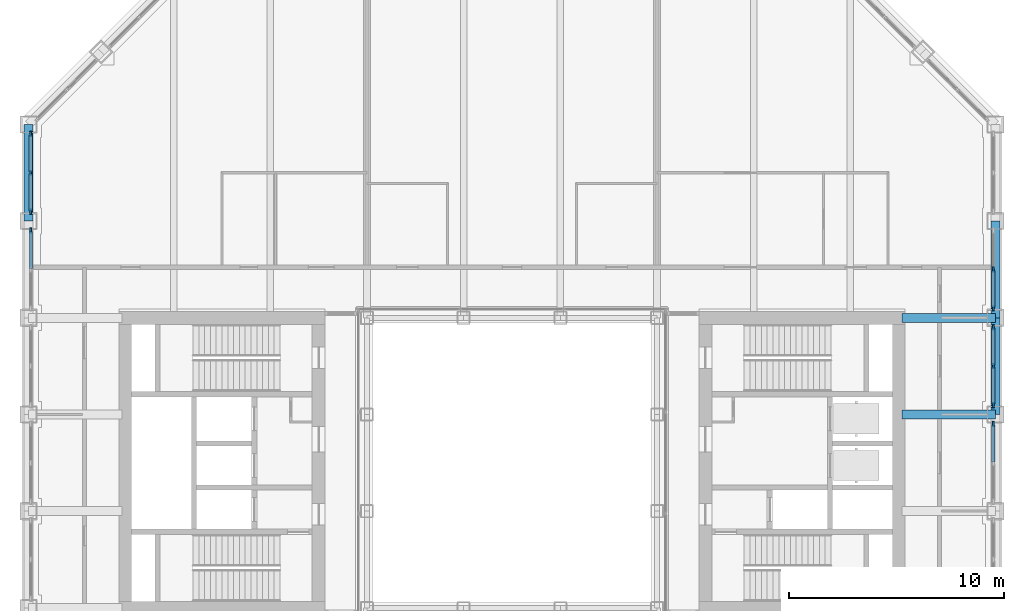
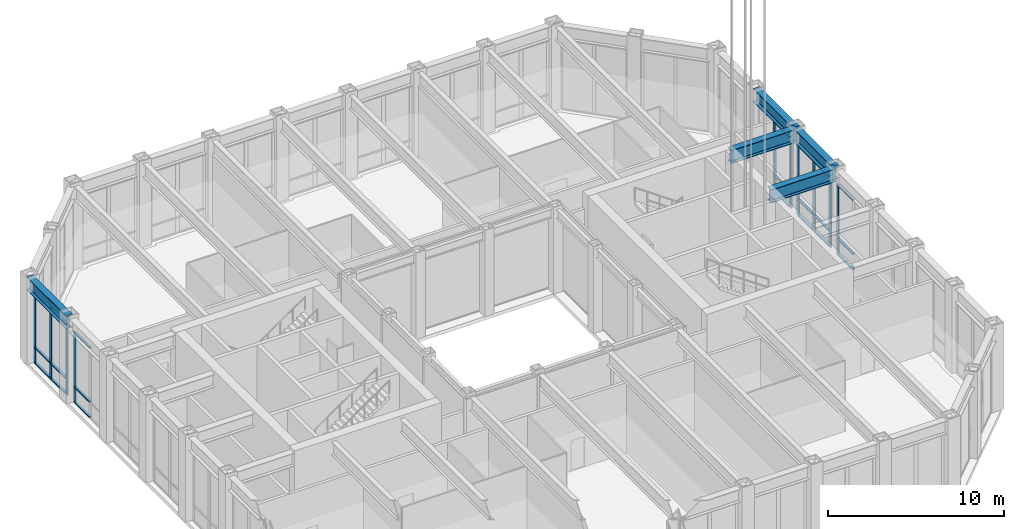
# One storey, part 7 of 22: 31 members, 5 beams, 5 elements without a shape of their own.
"""IFC4 building model written with IfcOpenShell, lengths in metres."""

from ifc_helpers import new_model, si_unit, direction, frame, origin, origin_2d, place, context, subcontext, project, spatial, rectangle, i_section, extrude, material, material_profile, profile_set, type_object, element, aggregate, save


model = new_model("IFC4")

# Units and contexts
model_context = context("Model", 3, precision=1e-05, world=origin(), true_north=direction((0.0, 1.0)))
body_context = subcontext(model_context, "Body", "Model", "MODEL_VIEW")
ifc_project = project(units=[si_unit("LENGTHUNIT", "METRE"), si_unit("AREAUNIT", "SQUARE_METRE"), si_unit("VOLUMEUNIT", "CUBIC_METRE"), si_unit("PLANEANGLEUNIT", "RADIAN"), si_unit("MASSUNIT", "GRAM", prefix="KILO")], contexts=[model_context])

# Site, building, storey
site_placement = place(None, origin())
site = spatial("IfcSite", under=ifc_project, at=site_placement, CompositionType="ELEMENT")
building_placement = place(site_placement, origin())
building = spatial("IfcBuilding", under=site, at=building_placement, Name="Msasa Ring Tower", CompositionType="ELEMENT")
storey_placement = place(building_placement, frame((0.0, 0.0, 112.39990234375)))
storey = spatial("IfcBuildingStorey", under=building, at=storey_placement, Name="L29", CompositionType="ELEMENT", Elevation=112.39990234375)

# Curtain wall, member
ifc_material_1 = material(Name="Aluminium curtain wall with clear glass", Category="aluminium")
curtain_wall_type = type_object("IfcCurtainWallType", Name="CW-S SKY LOBBY CURTAIN WALL", PredefinedType="NOTDEFINED", material=ifc_material_1)
curtain_wall_1_placement = place(storey_placement, origin())
curtain_wall_1 = element("IfcCurtainWall", 1, at=curtain_wall_1_placement, inside=storey, type_object=curtain_wall_type, Name="Sky lobby curtain wall E L29", PredefinedType="NOTDEFINED")
ifc_material_2 = material(Name="Aluminium mullion", Category="aluminium")
ifc_material_profile_1 = material_profile(ifc_material_2, rectangle(XDim=0.074951171875, YDim=0.25, at=origin_2d()), Name="AL 75x250")
ifc_profile_set_1 = profile_set([ifc_material_profile_1], Name="Aluminium mullion")
member_type_1 = type_object("IfcMemberType", Name="CW-S MULLION 75x250", PredefinedType="MULLION", material=ifc_profile_set_1)
member_1_placement = place(storey_placement, frame((22.39990234375, 1.8076171875, 0.0), z_axis=(0.0, 0.0, 1.0), x_axis=(-1.0, 0.0, 0.0)))
member_1 = element("IfcMember", 2, at=member_1_placement, type_object=member_type_1, Name="CW-S mullion 3", PredefinedType="MULLION", context=body_context, shape_type="SweptSolid", body=[
    extrude(rectangle(XDim=0.074951171875, YDim=0.25, at=origin_2d()), origin(), (0.0, 0.0, 1.0), 4.879150390625),
])

# Curtain wall, members
curtain_wall_2_placement = place(storey_placement, origin())
curtain_wall_2 = element("IfcCurtainWall", 3, at=curtain_wall_2_placement, inside=storey, type_object=curtain_wall_type, Name="Sky lobby curtain wall E L29", PredefinedType="NOTDEFINED")
member_2_placement = place(storey_placement, frame((22.39990234375, 2.6923828125, 0.0), z_axis=(0.0, 0.0, 1.0), x_axis=(-1.0, 0.0, 0.0)))
member_2 = element("IfcMember", 4, at=member_2_placement, type_object=member_type_1, Name="CW-S mullion 1", PredefinedType="MULLION", context=body_context, shape_type="SweptSolid", body=[
    extrude(rectangle(XDim=0.074951171875, YDim=0.25, at=origin_2d()), origin(), (0.0, 0.0, 1.0), 4.879150390625),
])
member_3_placement = place(storey_placement, frame((22.39990234375, 4.5, 0.0), z_axis=(0.0, 0.0, 1.0), x_axis=(-1.0, 0.0, 0.0)))
member_3 = element("IfcMember", 5, at=member_3_placement, type_object=member_type_1, Name="CW-S mullion 2", PredefinedType="MULLION", context=body_context, shape_type="SweptSolid", body=[
    extrude(rectangle(XDim=0.074951171875, YDim=0.25, at=origin_2d()), origin(), (0.0, 0.0, 1.0), 4.879150390625),
])
member_4_placement = place(storey_placement, frame((22.39990234375, 6.3076171875, 0.0), z_axis=(0.0, 0.0, 1.0), x_axis=(-1.0, 0.0, 0.0)))
member_4 = element("IfcMember", 6, at=member_4_placement, type_object=member_type_1, Name="CW-S mullion 3", PredefinedType="MULLION", context=body_context, shape_type="SweptSolid", body=[
    extrude(rectangle(XDim=0.074951171875, YDim=0.25, at=origin_2d()), origin(), (0.0, 0.0, 1.0), 4.879150390625),
])

curtain_wall_3_placement = place(storey_placement, origin())
curtain_wall_3 = element("IfcCurtainWall", 7, at=curtain_wall_3_placement, inside=storey, type_object=curtain_wall_type, Name="Sky lobby curtain wall E L29", PredefinedType="NOTDEFINED")
member_5_placement = place(storey_placement, frame((22.39990234375, 7.1923828125, 0.0), z_axis=(0.0, 0.0, 1.0), x_axis=(-1.0, 0.0, 0.0)))
member_5 = element("IfcMember", 8, at=member_5_placement, type_object=member_type_1, Name="CW-S mullion 1", PredefinedType="MULLION", context=body_context, shape_type="SweptSolid", body=[
    extrude(rectangle(XDim=0.074951171875, YDim=0.25, at=origin_2d()), origin(), (0.0, 0.0, 1.0), 4.879150390625),
])
member_6_placement = place(storey_placement, frame((22.39990234375, 9.0, 0.0), z_axis=(0.0, 0.0, 1.0), x_axis=(-1.0, 0.0, 0.0)))
member_6 = element("IfcMember", 9, at=member_6_placement, type_object=member_type_1, Name="CW-S mullion 2", PredefinedType="MULLION", context=body_context, shape_type="SweptSolid", body=[
    extrude(rectangle(XDim=0.074951171875, YDim=0.25, at=origin_2d()), origin(), (0.0, 0.0, 1.0), 4.879150390625),
])

# Curtain wall, member
curtain_wall_4_placement = place(storey_placement, origin())
curtain_wall_4 = element("IfcCurtainWall", 10, at=curtain_wall_4_placement, inside=storey, type_object=curtain_wall_type, Name="Sky lobby curtain wall W L29", PredefinedType="NOTDEFINED")
member_7_placement = place(storey_placement, frame((-22.39990234375, 10.8076171875, 0.0), z_axis=(0.0, 0.0, 1.0), x_axis=(-1.0, 0.0, 0.0)))
member_7 = element("IfcMember", 11, at=member_7_placement, type_object=member_type_1, Name="CW-S mullion 3", PredefinedType="MULLION", context=body_context, shape_type="SweptSolid", body=[
    extrude(rectangle(XDim=0.074951171875, YDim=0.25, at=origin_2d()), origin(), (0.0, 0.0, 1.0), 4.879150390625),
])

# Curtain wall, members
curtain_wall_5_placement = place(storey_placement, origin())
curtain_wall_5 = element("IfcCurtainWall", 12, at=curtain_wall_5_placement, inside=storey, type_object=curtain_wall_type, Name="Sky lobby curtain wall W L29", PredefinedType="NOTDEFINED")
member_8_placement = place(storey_placement, frame((-22.39990234375, 11.6923828125, 0.0), z_axis=(0.0, 0.0, 1.0), x_axis=(-1.0, 0.0, 0.0)))
member_8 = element("IfcMember", 13, at=member_8_placement, type_object=member_type_1, Name="CW-S mullion 1", PredefinedType="MULLION", context=body_context, shape_type="SweptSolid", body=[
    extrude(rectangle(XDim=0.074951171875, YDim=0.25, at=origin_2d()), origin(), (0.0, 0.0, 1.0), 4.879150390625),
])
member_9_placement = place(storey_placement, frame((-22.39990234375, 13.5, 0.0), z_axis=(0.0, 0.0, 1.0), x_axis=(-1.0, 0.0, 0.0)))
member_9 = element("IfcMember", 14, at=member_9_placement, type_object=member_type_1, Name="CW-S mullion 2", PredefinedType="MULLION", context=body_context, shape_type="SweptSolid", body=[
    extrude(rectangle(XDim=0.074951171875, YDim=0.25, at=origin_2d()), origin(), (0.0, 0.0, 1.0), 4.879150390625),
])
member_10_placement = place(storey_placement, frame((-22.39990234375, 15.3076171875, 0.0), z_axis=(0.0, 0.0, 1.0), x_axis=(-1.0, 0.0, 0.0)))
member_10 = element("IfcMember", 15, at=member_10_placement, type_object=member_type_1, Name="CW-S mullion 3", PredefinedType="MULLION", context=body_context, shape_type="SweptSolid", body=[
    extrude(rectangle(XDim=0.074951171875, YDim=0.25, at=origin_2d()), origin(), (0.0, 0.0, 1.0), 4.879150390625),
])

# Member
ifc_material_3 = material(Name="Aluminium transom", Category="aluminium")
ifc_material_profile_2 = material_profile(ifc_material_3, rectangle(XDim=0.159912109375, YDim=0.074951171875, at=origin_2d()), Name="AL 75x160")
ifc_profile_set_2 = profile_set([ifc_material_profile_2], Name="Aluminium transom")
member_type_2 = type_object("IfcMemberType", Name="CW-S TRANSOM 75x160", PredefinedType="USERDEFINED", material=ifc_profile_set_2)
member_11_placement = place(storey_placement, frame((22.39990234375, 0.03759765625, 0.03759765625), z_axis=(0.0, 1.0, 0.0), x_axis=(-1.0, 0.0, 0.0)))
member_11 = element("IfcMember", 16, at=member_11_placement, type_object=member_type_2, Name="CW-S transom 2.1", ObjectType="TRANSOM", PredefinedType="USERDEFINED", context=body_context, shape_type="SweptSolid", body=[
    extrude(rectangle(XDim=0.159912109375, YDim=0.074951171875, at=origin_2d()), origin(), (0.0, 0.0, 1.0), 1.732421875),
])

member_12_placement = place(storey_placement, frame((22.39990234375, 0.03759765625, 1.10009765625), z_axis=(0.0, 1.0, 0.0), x_axis=(-1.0, 0.0, 0.0)))
member_12 = element("IfcMember", 17, at=member_12_placement, type_object=member_type_2, Name="CW-S transom 2.2", ObjectType="TRANSOM", PredefinedType="USERDEFINED", context=body_context, shape_type="SweptSolid", body=[
    extrude(rectangle(XDim=0.159912109375, YDim=0.074951171875, at=origin_2d()), origin(), (0.0, 0.0, 1.0), 1.732421875),
])

member_13_placement = place(storey_placement, frame((22.39990234375, 0.03759765625, 4.841552734375), z_axis=(0.0, 1.0, 0.0), x_axis=(-1.0, 0.0, 0.0)))
member_13 = element("IfcMember", 18, at=member_13_placement, type_object=member_type_2, Name="CW-S transom 2.3", ObjectType="TRANSOM", PredefinedType="USERDEFINED", context=body_context, shape_type="SweptSolid", body=[
    extrude(rectangle(XDim=0.159912109375, YDim=0.074951171875, at=origin_2d()), origin(), (0.0, 0.0, 1.0), 1.732421875),
])

aggregate(curtain_wall_1, [member_1, member_11, member_12, member_13])

member_14_placement = place(storey_placement, frame((22.39990234375, 2.72998046875, 0.03759765625), z_axis=(0.0, 1.0, 0.0), x_axis=(-1.0, 0.0, 0.0)))
member_14 = element("IfcMember", 19, at=member_14_placement, type_object=member_type_2, Name="CW-S transom 1.1", ObjectType="TRANSOM", PredefinedType="USERDEFINED", context=body_context, shape_type="SweptSolid", body=[
    extrude(rectangle(XDim=0.159912109375, YDim=0.074951171875, at=origin_2d()), origin(), (0.0, 0.0, 1.0), 1.732421875),
])

member_15_placement = place(storey_placement, frame((22.39990234375, 2.72998046875, 1.10009765625), z_axis=(0.0, 1.0, 0.0), x_axis=(-1.0, 0.0, 0.0)))
member_15 = element("IfcMember", 20, at=member_15_placement, type_object=member_type_2, Name="CW-S transom 1.2", ObjectType="TRANSOM", PredefinedType="USERDEFINED", context=body_context, shape_type="SweptSolid", body=[
    extrude(rectangle(XDim=0.159912109375, YDim=0.074951171875, at=origin_2d()), origin(), (0.0, 0.0, 1.0), 1.732421875),
])

member_16_placement = place(storey_placement, frame((22.39990234375, 2.72998046875, 4.841552734375), z_axis=(0.0, 1.0, 0.0), x_axis=(-1.0, 0.0, 0.0)))
member_16 = element("IfcMember", 21, at=member_16_placement, type_object=member_type_2, Name="CW-S transom 1.3", ObjectType="TRANSOM", PredefinedType="USERDEFINED", context=body_context, shape_type="SweptSolid", body=[
    extrude(rectangle(XDim=0.159912109375, YDim=0.074951171875, at=origin_2d()), origin(), (0.0, 0.0, 1.0), 1.732421875),
])

member_17_placement = place(storey_placement, frame((22.39990234375, 4.53759765625, 0.03759765625), z_axis=(0.0, 1.0, 0.0), x_axis=(-1.0, 0.0, 0.0)))
member_17 = element("IfcMember", 22, at=member_17_placement, type_object=member_type_2, Name="CW-S transom 2.1", ObjectType="TRANSOM", PredefinedType="USERDEFINED", context=body_context, shape_type="SweptSolid", body=[
    extrude(rectangle(XDim=0.159912109375, YDim=0.074951171875, at=origin_2d()), origin(), (0.0, 0.0, 1.0), 1.732421875),
])

member_18_placement = place(storey_placement, frame((22.39990234375, 4.53759765625, 1.10009765625), z_axis=(0.0, 1.0, 0.0), x_axis=(-1.0, 0.0, 0.0)))
member_18 = element("IfcMember", 23, at=member_18_placement, type_object=member_type_2, Name="CW-S transom 2.2", ObjectType="TRANSOM", PredefinedType="USERDEFINED", context=body_context, shape_type="SweptSolid", body=[
    extrude(rectangle(XDim=0.159912109375, YDim=0.074951171875, at=origin_2d()), origin(), (0.0, 0.0, 1.0), 1.732421875),
])

member_19_placement = place(storey_placement, frame((22.39990234375, 4.53759765625, 4.841552734375), z_axis=(0.0, 1.0, 0.0), x_axis=(-1.0, 0.0, 0.0)))
member_19 = element("IfcMember", 24, at=member_19_placement, type_object=member_type_2, Name="CW-S transom 2.3", ObjectType="TRANSOM", PredefinedType="USERDEFINED", context=body_context, shape_type="SweptSolid", body=[
    extrude(rectangle(XDim=0.159912109375, YDim=0.074951171875, at=origin_2d()), origin(), (0.0, 0.0, 1.0), 1.732421875),
])

aggregate(curtain_wall_2, [member_2, member_3, member_4, member_14, member_15, member_16, member_17, member_18, member_19])

member_20_placement = place(storey_placement, frame((22.39990234375, 7.22998046875, 0.03759765625), z_axis=(0.0, 1.0, 0.0), x_axis=(-1.0, 0.0, 0.0)))
member_20 = element("IfcMember", 25, at=member_20_placement, type_object=member_type_2, Name="CW-S transom 1.1", ObjectType="TRANSOM", PredefinedType="USERDEFINED", context=body_context, shape_type="SweptSolid", body=[
    extrude(rectangle(XDim=0.159912109375, YDim=0.074951171875, at=origin_2d()), origin(), (0.0, 0.0, 1.0), 1.732421875),
])

member_21_placement = place(storey_placement, frame((22.39990234375, 7.22998046875, 1.10009765625), z_axis=(0.0, 1.0, 0.0), x_axis=(-1.0, 0.0, 0.0)))
member_21 = element("IfcMember", 26, at=member_21_placement, type_object=member_type_2, Name="CW-S transom 1.2", ObjectType="TRANSOM", PredefinedType="USERDEFINED", context=body_context, shape_type="SweptSolid", body=[
    extrude(rectangle(XDim=0.159912109375, YDim=0.074951171875, at=origin_2d()), origin(), (0.0, 0.0, 1.0), 1.732421875),
])

member_22_placement = place(storey_placement, frame((22.39990234375, 7.22998046875, 4.841552734375), z_axis=(0.0, 1.0, 0.0), x_axis=(-1.0, 0.0, 0.0)))
member_22 = element("IfcMember", 27, at=member_22_placement, type_object=member_type_2, Name="CW-S transom 1.3", ObjectType="TRANSOM", PredefinedType="USERDEFINED", context=body_context, shape_type="SweptSolid", body=[
    extrude(rectangle(XDim=0.159912109375, YDim=0.074951171875, at=origin_2d()), origin(), (0.0, 0.0, 1.0), 1.732421875),
])

aggregate(curtain_wall_3, [member_5, member_6, member_20, member_21, member_22])

member_23_placement = place(storey_placement, frame((-22.39990234375, 9.03759765625, 0.03759765625), z_axis=(0.0, 1.0, 0.0), x_axis=(-1.0, 0.0, 0.0)))
member_23 = element("IfcMember", 28, at=member_23_placement, type_object=member_type_2, Name="CW-S transom 2.1", ObjectType="TRANSOM", PredefinedType="USERDEFINED", context=body_context, shape_type="SweptSolid", body=[
    extrude(rectangle(XDim=0.159912109375, YDim=0.074951171875, at=origin_2d()), origin(), (0.0, 0.0, 1.0), 1.732421875),
])

member_24_placement = place(storey_placement, frame((-22.39990234375, 9.03759765625, 1.10009765625), z_axis=(0.0, 1.0, 0.0), x_axis=(-1.0, 0.0, 0.0)))
member_24 = element("IfcMember", 29, at=member_24_placement, type_object=member_type_2, Name="CW-S transom 2.2", ObjectType="TRANSOM", PredefinedType="USERDEFINED", context=body_context, shape_type="SweptSolid", body=[
    extrude(rectangle(XDim=0.159912109375, YDim=0.074951171875, at=origin_2d()), origin(), (0.0, 0.0, 1.0), 1.732421875),
])

member_25_placement = place(storey_placement, frame((-22.39990234375, 9.03759765625, 4.841552734375), z_axis=(0.0, 1.0, 0.0), x_axis=(-1.0, 0.0, 0.0)))
member_25 = element("IfcMember", 30, at=member_25_placement, type_object=member_type_2, Name="CW-S transom 2.3", ObjectType="TRANSOM", PredefinedType="USERDEFINED", context=body_context, shape_type="SweptSolid", body=[
    extrude(rectangle(XDim=0.159912109375, YDim=0.074951171875, at=origin_2d()), origin(), (0.0, 0.0, 1.0), 1.732421875),
])

aggregate(curtain_wall_4, [member_7, member_23, member_24, member_25])

member_26_placement = place(storey_placement, frame((-22.39990234375, 11.72998046875, 0.03759765625), z_axis=(0.0, 1.0, 0.0), x_axis=(-1.0, 0.0, 0.0)))
member_26 = element("IfcMember", 31, at=member_26_placement, type_object=member_type_2, Name="CW-S transom 1.1", ObjectType="TRANSOM", PredefinedType="USERDEFINED", context=body_context, shape_type="SweptSolid", body=[
    extrude(rectangle(XDim=0.159912109375, YDim=0.074951171875, at=origin_2d()), origin(), (0.0, 0.0, 1.0), 1.732421875),
])

member_27_placement = place(storey_placement, frame((-22.39990234375, 11.72998046875, 1.10009765625), z_axis=(0.0, 1.0, 0.0), x_axis=(-1.0, 0.0, 0.0)))
member_27 = element("IfcMember", 32, at=member_27_placement, type_object=member_type_2, Name="CW-S transom 1.2", ObjectType="TRANSOM", PredefinedType="USERDEFINED", context=body_context, shape_type="SweptSolid", body=[
    extrude(rectangle(XDim=0.159912109375, YDim=0.074951171875, at=origin_2d()), origin(), (0.0, 0.0, 1.0), 1.732421875),
])

member_28_placement = place(storey_placement, frame((-22.39990234375, 11.72998046875, 4.841552734375), z_axis=(0.0, 1.0, 0.0), x_axis=(-1.0, 0.0, 0.0)))
member_28 = element("IfcMember", 33, at=member_28_placement, type_object=member_type_2, Name="CW-S transom 1.3", ObjectType="TRANSOM", PredefinedType="USERDEFINED", context=body_context, shape_type="SweptSolid", body=[
    extrude(rectangle(XDim=0.159912109375, YDim=0.074951171875, at=origin_2d()), origin(), (0.0, 0.0, 1.0), 1.732421875),
])

member_29_placement = place(storey_placement, frame((-22.39990234375, 13.53759765625, 0.03759765625), z_axis=(0.0, 1.0, 0.0), x_axis=(-1.0, 0.0, 0.0)))
member_29 = element("IfcMember", 34, at=member_29_placement, type_object=member_type_2, Name="CW-S transom 2.1", ObjectType="TRANSOM", PredefinedType="USERDEFINED", context=body_context, shape_type="SweptSolid", body=[
    extrude(rectangle(XDim=0.159912109375, YDim=0.074951171875, at=origin_2d()), origin(), (0.0, 0.0, 1.0), 1.732421875),
])

member_30_placement = place(storey_placement, frame((-22.39990234375, 13.53759765625, 1.10009765625), z_axis=(0.0, 1.0, 0.0), x_axis=(-1.0, 0.0, 0.0)))
member_30 = element("IfcMember", 35, at=member_30_placement, type_object=member_type_2, Name="CW-S transom 2.2", ObjectType="TRANSOM", PredefinedType="USERDEFINED", context=body_context, shape_type="SweptSolid", body=[
    extrude(rectangle(XDim=0.159912109375, YDim=0.074951171875, at=origin_2d()), origin(), (0.0, 0.0, 1.0), 1.732421875),
])

member_31_placement = place(storey_placement, frame((-22.39990234375, 13.53759765625, 4.841552734375), z_axis=(0.0, 1.0, 0.0), x_axis=(-1.0, 0.0, 0.0)))
member_31 = element("IfcMember", 36, at=member_31_placement, type_object=member_type_2, Name="CW-S transom 2.3", ObjectType="TRANSOM", PredefinedType="USERDEFINED", context=body_context, shape_type="SweptSolid", body=[
    extrude(rectangle(XDim=0.159912109375, YDim=0.074951171875, at=origin_2d()), origin(), (0.0, 0.0, 1.0), 1.732421875),
])

aggregate(curtain_wall_5, [member_8, member_9, member_10, member_26, member_27, member_28, member_29, member_30, member_31])

# Beams
ifc_material_4 = material(Name="Steel S355", Category="steel")
ifc_material_profile_3 = material_profile(ifc_material_4, i_section(OverallWidth=0.42041015625, OverallDepth=0.9208984375, WebThickness=0.021484375, FlangeThickness=0.03662109375, FilletRadius=0.024169921875, at=origin_2d()), Name="UB 914x419x388")
ifc_profile_set_3 = profile_set([ifc_material_profile_3], Name="Steel S355")
beam_type_1 = type_object("IfcBeamType", Name="FB2 UB 914x419x388", PredefinedType="BEAM", material=ifc_profile_set_3)
beam_1_placement = place(storey_placement, frame((22.5, 2.25, 5.339599609375), z_axis=(-1.0, 0.0, 0.0), x_axis=(0.0, -1.0, 0.0)))
element("IfcBeam", 37, at=beam_1_placement, inside=storey, type_object=beam_type_1, Name="Floor beam E +2.25 under L30", PredefinedType="BEAM", context=body_context, shape_type="SweptSolid", body=[
    extrude(i_section(OverallWidth=0.42041015625, OverallDepth=0.9208984375, WebThickness=0.021484375, FlangeThickness=0.03662109375, FilletRadius=0.024169921875, at=origin_2d()), origin(), (0.0, 0.0, 1.0), 4.35009765625),
])
ifc_material_5 = material(Name="Steel S355", Category="steel")
ifc_material_profile_4 = material_profile(ifc_material_5, i_section(OverallWidth=0.42041015625, OverallDepth=0.9208984375, WebThickness=0.021484375, FlangeThickness=0.03662109375, FilletRadius=0.024169921875, at=origin_2d()), Name="UB 914x419x388")
ifc_profile_set_4 = profile_set([ifc_material_profile_4], Name="Steel S355")
beam_type_2 = type_object("IfcBeamType", Name="GB1 UB 914x419x388", PredefinedType="BEAM", material=ifc_profile_set_4)
beam_2_placement = place(storey_placement, frame((18.14990234375, 6.75, 5.339599609375), z_axis=(1.0, 0.0, 0.0), x_axis=(0.0, 1.0, 0.0)))
element("IfcBeam", 38, at=beam_2_placement, inside=storey, type_object=beam_type_2, Name="Girder E +6.75 under L30", PredefinedType="BEAM", context=body_context, shape_type="SweptSolid", body=[
    extrude(i_section(OverallWidth=0.42041015625, OverallDepth=0.9208984375, WebThickness=0.021484375, FlangeThickness=0.03662109375, FilletRadius=0.024169921875, at=origin_2d()), origin(), (0.0, 0.0, 1.0), 4.35009765625),
])
ifc_material_6 = material(Name="Steel S355", Category="steel")
ifc_material_profile_5 = material_profile(ifc_material_6, i_section(OverallWidth=0.42041015625, OverallDepth=0.9208984375, WebThickness=0.021484375, FlangeThickness=0.03662109375, FilletRadius=0.024169921875, at=origin_2d()), Name="UB 914x419x388")
ifc_profile_set_5 = profile_set([ifc_material_profile_5], Name="Steel S355")
beam_type_3 = type_object("IfcBeamType", Name="SB1 UB 914x419x388", PredefinedType="SPANDREL", material=ifc_profile_set_5)
for number, where, z_axis, x_axis, name in (
    (39, (22.5, 2.25, 5.339599609375), (0.0, 1.0, 0.0), (-1.0, 0.0, 0.0), "Spandrel E+2.25 to E+6.75 under L30"),
    (40, (22.5, 6.75, 5.339599609375), (0.0, 1.0, 0.0), (-1.0, 0.0, 0.0), "Spandrel E+6.75 to E+11.25 under L30"),
    (41, (-22.5, 15.75, 5.339599609375), (0.0, -1.0, 0.0), (1.0, 0.0, 0.0), "Spandrel W+15.75 to W+11.25 under L30"),
):
    element("IfcBeam", number, at=place(storey_placement, frame(where, z_axis=z_axis, x_axis=x_axis)), inside=storey, type_object=beam_type_3, Name=name, PredefinedType="SPANDREL", context=body_context, shape_type="SweptSolid", body=[
        extrude(i_section(OverallWidth=0.42041015625, OverallDepth=0.9208984375, WebThickness=0.021484375, FlangeThickness=0.03662109375, FilletRadius=0.024169921875, at=origin_2d()), origin(), (0.0, 0.0, 1.0), 4.5),
    ])

save(model, "model.ifc")
